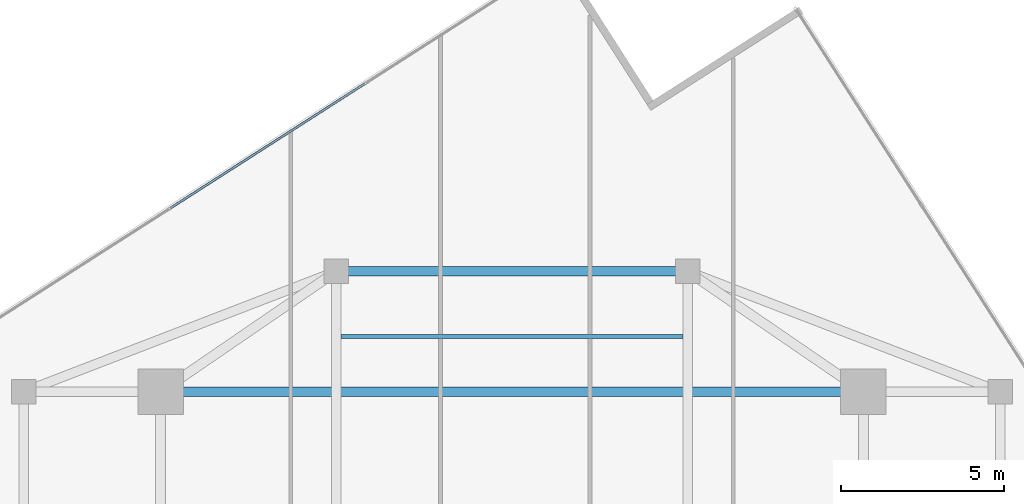
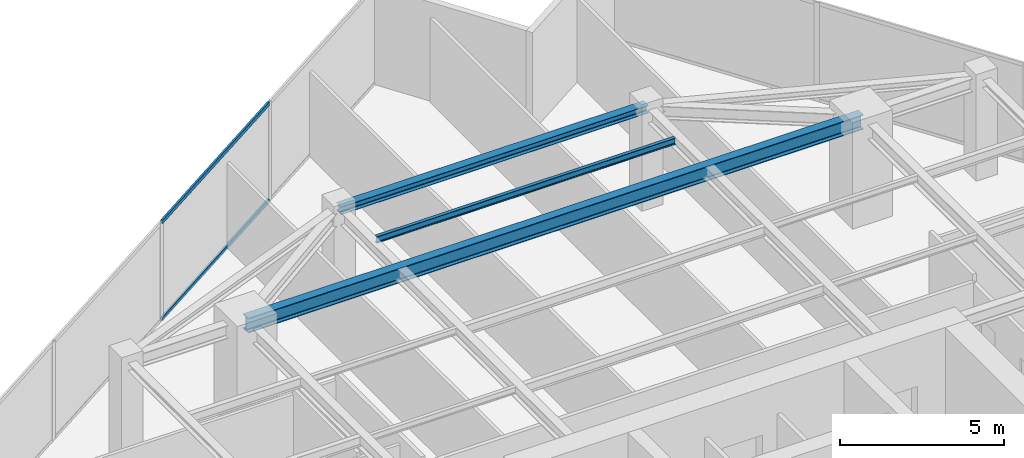
# One storey, part 13 of 20: 3 beams, 2 members, 1 element without a shape of its own.
"""IFC4 building model written with IfcOpenShell, lengths in metres."""

from ifc_helpers import new_model, si_unit, direction, frame, origin, origin_2d, place, context, subcontext, project, spatial, hollow_rectangle, i_section, extrude, source, transform, mapped, material, material_profile, profile_set, type_object, type_shapes, element, aggregate, save


model = new_model("IFC4")

# Units and contexts
model_context = context("Model", 3, precision=1e-05, world=origin(), true_north=direction((0.0, 1.0)))
body_context = subcontext(model_context, "Body", "Model", "MODEL_VIEW")
ifc_project = project(units=[si_unit("LENGTHUNIT", "METRE"), si_unit("AREAUNIT", "SQUARE_METRE"), si_unit("VOLUMEUNIT", "CUBIC_METRE"), si_unit("PLANEANGLEUNIT", "RADIAN"), si_unit("MASSUNIT", "GRAM", prefix="KILO")], contexts=[model_context])

# Site, building, storey
site_placement = place(None, origin())
site = spatial("IfcSite", under=ifc_project, at=site_placement, CompositionType="ELEMENT")
building_placement = place(site_placement, origin())
building = spatial("IfcBuilding", under=site, at=building_placement, Name="Krantzveldt Concourse Tower", CompositionType="ELEMENT")
storey_placement = place(building_placement, frame((0.0, 0.0, 283.199951171875)))
storey = spatial("IfcBuildingStorey", under=building, at=storey_placement, Name="L69", CompositionType="ELEMENT", Elevation=283.199951171875)

# Beams
ifc_material_1 = material(Name="Steel S355JR", Category="steel")
ifc_material_profile_1 = material_profile(ifc_material_1, i_section(OverallWidth=0.300048828125, OverallDepth=0.5400390625, WebThickness=0.012451171875, FlangeThickness=0.02392578125, FilletRadius=0.027099609375, at=origin_2d()), Name="Steel S355JR", Category="steel")
ifc_profile_set_1 = profile_set([ifc_material_profile_1], Name="Steel S355JR - HEA 550")
beam_type_1 = type_object("IfcBeamType", Name="BM-B-HEA550", PredefinedType="BEAM", material=ifc_profile_set_1)
shared_shape_1 = source(origin(), body_context, "Body", "SweptSolid", [
    extrude(i_section(OverallWidth=0.300048828125, OverallDepth=0.5400390625, WebThickness=0.012451171875, FlangeThickness=0.02392578125, FilletRadius=0.027099609375, at=origin_2d()), origin(), (0.0, 0.0, 1.0), 21.60009765625),
])
type_shapes(beam_type_1, [shared_shape_1])
beam_1_placement = place(storey_placement, frame((25.199951171875, 37.5, 3.400146484375), z_axis=(1.0, 0.0, 0.0), x_axis=(0.0, 1.0, 0.0)))
element("IfcBeam", 1, at=beam_1_placement, inside=storey, type_object=beam_type_1, Name="L69 Tower Girder BG-MN", PredefinedType="BEAM", context=body_context, shape_type="MappedRepresentation", body=[
    mapped(shared_shape_1, transform((0.0, 0.0, 0.0), x_axis=(1.0, 0.0, 0.0), y_axis=(0.0, 1.0, 0.0), z_axis=(0.0, 0.0, 1.0), scale=1.0)),
])
ifc_material_profile_2 = material_profile(ifc_material_1, i_section(OverallWidth=0.2900390625, OverallDepth=0.2900390625, WebThickness=0.008544921875, FlangeThickness=0.013916015625, FilletRadius=0.027099609375, at=origin_2d()), Name="Steel S355JR", Category="steel")
ifc_profile_set_2 = profile_set([ifc_material_profile_2], Name="Steel S355JR - HEA 300")
beam_type_2 = type_object("IfcBeamType", Name="BM-SP-HEA300", PredefinedType="SPANDREL", material=ifc_profile_set_2)
shared_shape_2 = source(origin(), body_context, "Body", "SweptSolid", [
    extrude(i_section(OverallWidth=0.2900390625, OverallDepth=0.2900390625, WebThickness=0.008544921875, FlangeThickness=0.013916015625, FilletRadius=0.027099609375, at=origin_2d()), origin(), (0.0, 0.0, 1.0), 10.7998046875),
])
type_shapes(beam_type_2, [shared_shape_2])
beam_2_placement = place(storey_placement, frame((30.60009765625, 41.199951171875, 3.525146484375), z_axis=(1.0, 0.0, 0.0), x_axis=(0.0, 1.0, 0.0)))
element("IfcBeam", 2, at=beam_2_placement, inside=storey, type_object=beam_type_2, Name="L69 Tower Girder SP-R04", PredefinedType="SPANDREL", context=body_context, shape_type="MappedRepresentation", body=[
    mapped(shared_shape_2, transform((0.0, 0.0, 0.0), x_axis=(1.0, 0.0, 0.0), y_axis=(0.0, 1.0, 0.0), z_axis=(0.0, 0.0, 1.0), scale=1.0)),
])
ifc_material_profile_3 = material_profile(ifc_material_1, i_section(OverallWidth=0.1201171875, OverallDepth=0.239990234375, WebThickness=0.006103515625, FlangeThickness=0.009765625, FilletRadius=0.014892578125, at=origin_2d()), Name="Steel S355JR", Category="steel")
ifc_profile_set_3 = profile_set([ifc_material_profile_3], Name="Steel S355JR - IPE 240")
beam_type_3 = type_object("IfcBeamType", Name="BM-LN-IPE240", PredefinedType="LINTEL", material=ifc_profile_set_3)
shared_shape_3 = source(origin(), body_context, "Body", "SweptSolid", [
    extrude(i_section(OverallWidth=0.1201171875, OverallDepth=0.239990234375, WebThickness=0.006103515625, FlangeThickness=0.009765625, FilletRadius=0.014892578125, at=origin_2d()), origin(), (0.0, 0.0, 1.0), 10.5),
])
type_shapes(beam_type_3, [shared_shape_3])
beam_3_placement = place(storey_placement, frame((30.75, 39.199951171875, 3.550048828125), z_axis=(1.0, 0.0, 0.0), x_axis=(0.0, 1.0, 0.0)))
element("IfcBeam", 3, at=beam_3_placement, inside=storey, type_object=beam_type_3, Name="L69 Secondary Floor Joist JN-C3", PredefinedType="LINTEL", context=body_context, shape_type="MappedRepresentation", body=[
    mapped(shared_shape_3, transform((0.0, 0.0, 0.0), x_axis=(1.0, 0.0, 0.0), y_axis=(0.0, 1.0, 0.0), z_axis=(0.0, 0.0, 1.0), scale=1.0)),
])

# Curtain wall, members
ifc_material_2 = material(Name="Anodised aluminium 6063-T6", Category="aluminium")
curtain_wall_type = type_object("IfcCurtainWallType", Name="CW4", PredefinedType="USERDEFINED", material=ifc_material_2)
curtain_wall_placement = place(storey_placement, origin())
curtain_wall = element("IfcCurtainWall", 4, at=curtain_wall_placement, inside=storey, type_object=curtain_wall_type, Name="CW-L69-F01", ObjectType="UNITISED CURTAIN WALL", PredefinedType="USERDEFINED")
ifc_material_profile_4 = material_profile(ifc_material_2, hollow_rectangle(XDim=0.070068359375, YDim=0.139892578125, WallThickness=0.0048828125, at=origin_2d()), Name="Anodised aluminium 6063-T6", Category="aluminium")
ifc_profile_set_4 = profile_set([ifc_material_profile_4], Name="Anodised aluminium 6063-T6 - ALU-TRAN 140x70x5")
member_type = type_object("IfcMemberType", Name="CW-TRN-150", PredefinedType="USERDEFINED", material=ifc_profile_set_4)
shared_shape_4 = source(origin(), body_context, "Body", "SweptSolid", [
    extrude(hollow_rectangle(XDim=0.070068359375, YDim=0.139892578125, WallThickness=0.0048828125, at=origin_2d()), origin(), (0.0, 0.0, 1.0), 7.079833984375),
])
type_shapes(member_type, [shared_shape_4])
member_1_placement = place(storey_placement, frame((31.473876953125, 46.967529296875, 0.03515625), z_axis=(-0.842230064707, -0.539118278399, 0.0), x_axis=(0.539118278399, -0.842230064707, 0.0)))
member_1 = element("IfcMember", 5, at=member_1_placement, type_object=member_type, Name="CW-Z56 transom 2.1", ObjectType="TRANSOM", PredefinedType="USERDEFINED", context=body_context, shape_type="MappedRepresentation", body=[
    mapped(shared_shape_4, transform((0.0, 0.0, 0.0), x_axis=(1.0, 0.0, 0.0), y_axis=(0.0, 1.0, 0.0), z_axis=(0.0, 0.0, 1.0), scale=1.0)),
])
member_2_placement = place(storey_placement, frame((31.473876953125, 46.967529296875, 3.635009765625), z_axis=(-0.842230064707, -0.539118278399, 0.0), x_axis=(0.539118278399, -0.842230064707, 0.0)))
member_2 = element("IfcMember", 6, at=member_2_placement, type_object=member_type, Name="CW-Z56 transom 2.2", ObjectType="TRANSOM", PredefinedType="USERDEFINED", context=body_context, shape_type="MappedRepresentation", body=[
    mapped(shared_shape_4, transform((0.0, 0.0, 0.0), x_axis=(1.0, 0.0, 0.0), y_axis=(0.0, 1.0, 0.0), z_axis=(0.0, 0.0, 1.0), scale=1.0)),
])
aggregate(curtain_wall, [member_1, member_2])

save(model, "model.ifc")
